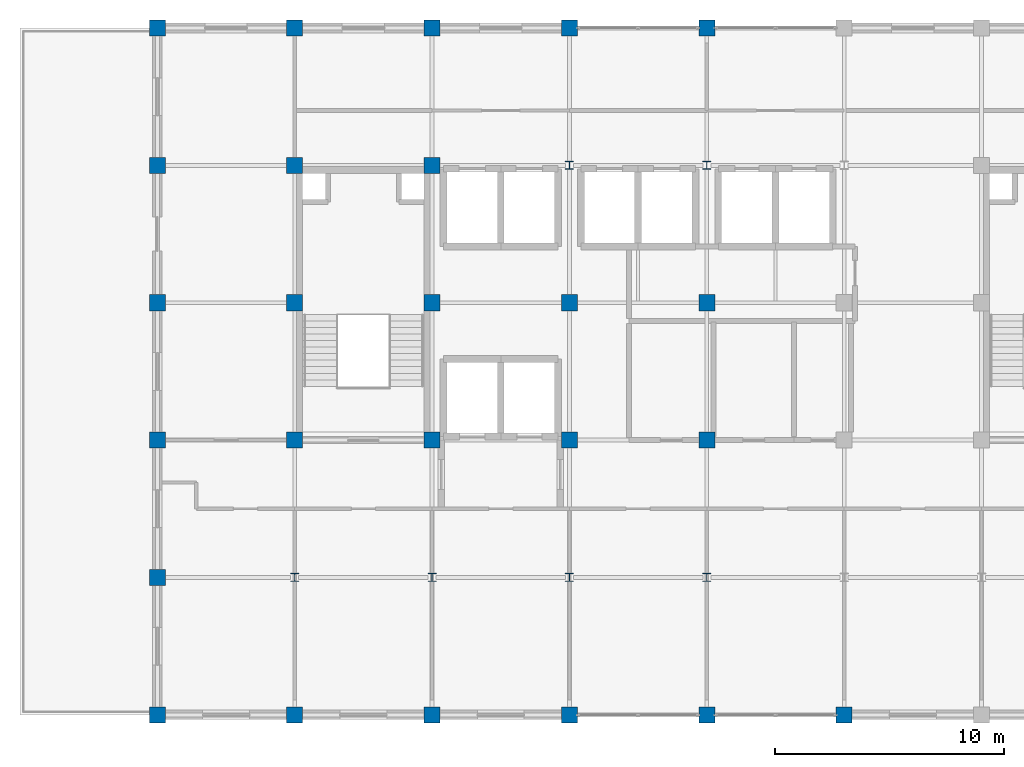
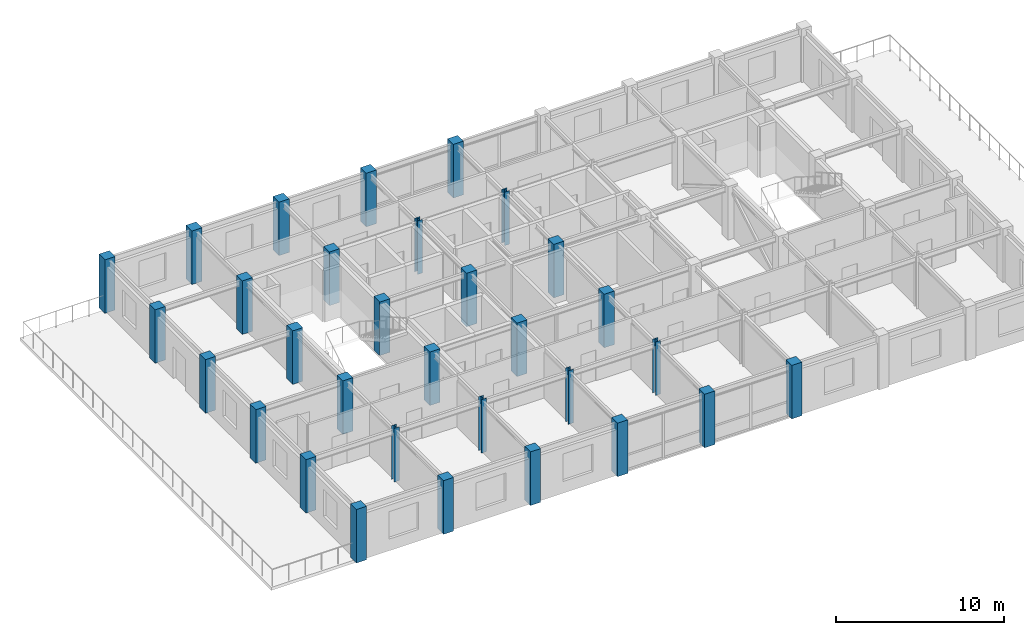
# One storey, part 1 of 15: 31 columns.
"""IFC4 building model written with IfcOpenShell, lengths in metres."""

from ifc_helpers import new_model, si_unit, direction, frame, origin, origin_2d, place, context, subcontext, project, spatial, rectangle, i_section, extrude, material, material_profile, profile_set, type_object, element, save


model = new_model("IFC4")

# Units and contexts
model_context = context("Model", 3, precision=1e-05, world=origin(), true_north=direction((0.0, 1.0)))
body_context = subcontext(model_context, "Body", "Model", "MODEL_VIEW")
ifc_project = project(units=[si_unit("LENGTHUNIT", "METRE"), si_unit("AREAUNIT", "SQUARE_METRE"), si_unit("VOLUMEUNIT", "CUBIC_METRE"), si_unit("PLANEANGLEUNIT", "RADIAN"), si_unit("MASSUNIT", "GRAM", prefix="KILO")], contexts=[model_context])

# Site, building, storey
site_placement = place(None, origin())
site = spatial("IfcSite", under=ifc_project, at=site_placement, CompositionType="ELEMENT")
building_placement = place(site_placement, origin())
building = spatial("IfcBuilding", under=site, at=building_placement, Name="Zlatovratsky Civic Hall", CompositionType="ELEMENT")
storey_placement = place(building_placement, frame((0.0, 0.0, 36.60009765625)))
storey = spatial("IfcBuildingStorey", under=building, at=storey_placement, Name="L09", CompositionType="ELEMENT", Elevation=36.60009765625)

# Columns
ifc_material_1 = material(Name="Concrete C35/45 (B40)", Category="concrete")
ifc_material_profile_1 = material_profile(ifc_material_1, rectangle(XDim=0.699951171875, YDim=0.699951171875, at=origin_2d()), Name="RC 700x700")
ifc_profile_set_1 = profile_set([ifc_material_profile_1], Name="Concrete C35/45 (B40)")
column_type_1 = type_object("IfcColumnType", Name="Col_CorePier_RC700", PredefinedType="COLUMN", material=ifc_profile_set_1)
for number, where, z_axis, x_axis, name in (
    (1, (60.0, 72.0, 0.0), (0.0, 0.0, 1.0), (1.0, 0.0, 0.0), "CL-2249"),
    (2, (66.0, 72.0, 0.0), (0.0, 0.0, 1.0), (1.0, 0.0, 0.0), "CL-2250"),
    (3, (72.0, 72.0, 0.0), (0.0, 0.0, 1.0), (1.0, 0.0, 0.0), "CL-2251"),
    (4, (78.0, 72.0, 0.0), (0.0, 0.0, 1.0), (1.0, 0.0, 0.0), "CL-2252"),
    (5, (84.0, 72.0, 0.0), (0.0, 0.0, 1.0), (1.0, 0.0, 0.0), "CL-2253"),
    (6, (90.0, 72.0, 0.0), (0.0, 0.0, 1.0), (1.0, 0.0, 0.0), "CL-2254"),
    (7, (60.0, 78.0, 0.0), (0.0, 0.0, 1.0), (1.0, 0.0, 0.0), "CL-2258"),
    (8, (60.0, 84.0, 0.0), (0.0, 0.0, 1.0), (1.0, 0.0, 0.0), "CL-2267"),
    (9, (66.0, 84.0, 0.0), (0.0, 0.0, 1.0), (1.0, 0.0, 0.0), "CL-2268"),
    (10, (72.0, 84.0, 0.0), (0.0, 0.0, 1.0), (1.0, 0.0, 0.0), "CL-2269"),
    (11, (78.0, 84.0, 0.0), (0.0, 0.0, 1.0), (1.0, 0.0, 0.0), "CL-2270"),
    (12, (84.0, 84.0, 0.0), (0.0, 0.0, 1.0), (1.0, 0.0, 0.0), "CL-2271"),
    (13, (60.0, 90.0, 0.0), (0.0, 0.0, 1.0), (1.0, 0.0, 0.0), "CL-2276"),
    (14, (66.0, 90.0, 0.0), (0.0, 0.0, 1.0), (1.0, 0.0, 0.0), "CL-2277"),
    (15, (72.0, 90.0, 0.0), (0.0, 0.0, 1.0), (1.0, 0.0, 0.0), "CL-2278"),
    (16, (78.0, 90.0, 0.0), (0.0, 0.0, 1.0), (1.0, 0.0, 0.0), "CL-2279"),
    (17, (84.0, 90.0, 0.0), (0.0, 0.0, 1.0), (1.0, 0.0, 0.0), "CL-2280"),
    (18, (60.0, 96.0, 0.0), (0.0, 0.0, 1.0), (1.0, 0.0, 0.0), "CL-2285"),
    (19, (66.0, 96.0, 0.0), (0.0, 0.0, 1.0), (1.0, 0.0, 0.0), "CL-2286"),
    (20, (72.0, 96.0, 0.0), (0.0, 0.0, 1.0), (1.0, 0.0, 0.0), "CL-2287"),
    (21, (60.0, 102.0, 0.0), (0.0, 0.0, 1.0), (1.0, 0.0, 0.0), "CL-2294"),
    (22, (66.0, 102.0, 0.0), (0.0, 0.0, 1.0), (1.0, 0.0, 0.0), "CL-2295"),
    (23, (72.0, 102.0, 0.0), (0.0, 0.0, 1.0), (1.0, 0.0, 0.0), "CL-2296"),
    (24, (78.0, 102.0, 0.0), (0.0, 0.0, 1.0), (1.0, 0.0, 0.0), "CL-2297"),
    (25, (84.0, 102.0, 0.0), (0.0, 0.0, 1.0), (1.0, 0.0, 0.0), "CL-2298"),
):
    element("IfcColumn", number, at=place(storey_placement, frame(where, z_axis=z_axis, x_axis=x_axis)), inside=storey, type_object=column_type_1, Name=name, PredefinedType="COLUMN", context=body_context, shape_type="SweptSolid", body=[
        extrude(rectangle(XDim=0.699951171875, YDim=0.699951171875, at=origin_2d()), origin(), (0.0, 0.0, 1.0), 3.89990234375),
    ])
ifc_material_2 = material(Name="Steel S355", Category="steel")
ifc_material_profile_2 = material_profile(ifc_material_2, i_section(OverallWidth=0.35009765625, OverallDepth=0.35009765625, WebThickness=0.011962890625, FlangeThickness=0.01904296875, FilletRadius=0.02001953125, at=origin_2d()), Name="35K2")
ifc_profile_set_2 = profile_set([ifc_material_profile_2], Name="Steel S355")
column_type_2 = type_object("IfcColumnType", Name="Col_Steel_35K2", PredefinedType="COLUMN", material=ifc_profile_set_2)
for number, where, z_axis, x_axis, name in (
    (26, (66.0, 78.0, 0.0), (0.0, 0.0, 1.0), (1.0, 0.0, 0.0), "CL-2259"),
    (27, (72.0, 78.0, 0.0), (0.0, 0.0, 1.0), (1.0, 0.0, 0.0), "CL-2260"),
    (28, (78.0, 78.0, 0.0), (0.0, 0.0, 1.0), (1.0, 0.0, 0.0), "CL-2261"),
    (29, (84.0, 78.0, 0.0), (0.0, 0.0, 1.0), (1.0, 0.0, 0.0), "CL-2262"),
    (30, (78.0, 96.0, 0.0), (0.0, 0.0, 1.0), (1.0, 0.0, 0.0), "CL-2288"),
    (31, (84.0, 96.0, 0.0), (0.0, 0.0, 1.0), (1.0, 0.0, 0.0), "CL-2289"),
):
    element("IfcColumn", number, at=place(storey_placement, frame(where, z_axis=z_axis, x_axis=x_axis)), inside=storey, type_object=column_type_2, Name=name, PredefinedType="COLUMN", context=body_context, shape_type="SweptSolid", body=[
        extrude(i_section(OverallWidth=0.35009765625, OverallDepth=0.35009765625, WebThickness=0.011962890625, FlangeThickness=0.01904296875, FilletRadius=0.02001953125, at=origin_2d()), origin(), (0.0, 0.0, 1.0), 3.89990234375),
    ])

save(model, "model.ifc")
